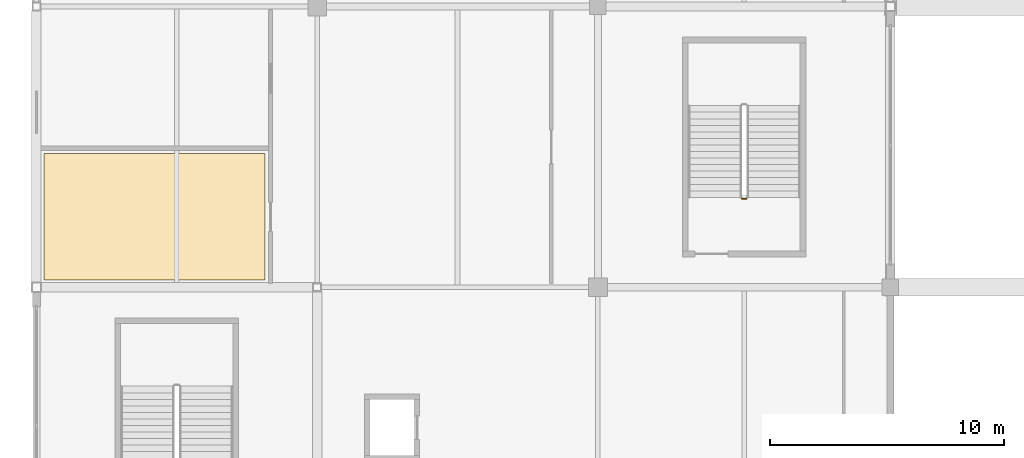
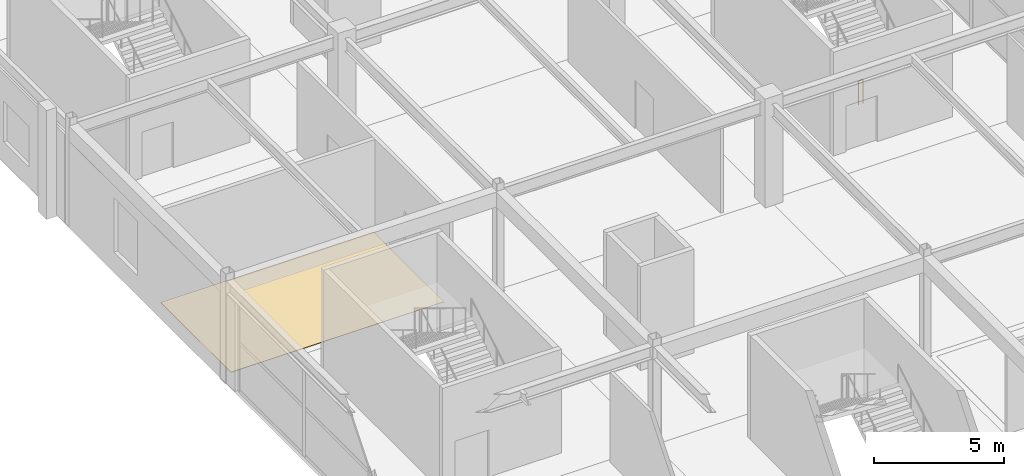
# One storey, part 107 of 128: 1 covering, 1 railing.
"""IFC4 building model written with IfcOpenShell, lengths in metres."""

from ifc_helpers import new_model, si_unit, direction, frame, origin, origin_2d, place, context, subcontext, project, spatial, polyline, circle, outline, extrude, material, layer, layer_set, type_object, element, save


model = new_model("IFC4")

# Units and contexts
model_context = context("Model", 3, precision=1e-05, world=origin(), true_north=direction((0.0, 1.0)))
body_context = subcontext(model_context, "Body", "Model", "MODEL_VIEW")
ifc_project = project(units=[si_unit("LENGTHUNIT", "METRE"), si_unit("AREAUNIT", "SQUARE_METRE"), si_unit("VOLUMEUNIT", "CUBIC_METRE"), si_unit("PLANEANGLEUNIT", "RADIAN"), si_unit("MASSUNIT", "GRAM", prefix="KILO")], contexts=[model_context])

# Site, building, storey
site_placement = place(None, origin())
site = spatial("IfcSite", under=ifc_project, at=site_placement, CompositionType="ELEMENT")
building_placement = place(site_placement, origin())
building = spatial("IfcBuilding", under=site, at=building_placement, Name="Kazenohara Klinker Stadium", CompositionType="ELEMENT")
storey_placement = place(building_placement, frame((0.0, 0.0, 15.300048828125)))
storey = spatial("IfcBuildingStorey", under=building, at=storey_placement, Name="L03", CompositionType="ELEMENT", Elevation=15.300048828125)

# Covering
ifc_material_1 = material(Name="Slip-resistant honed basalt terrazzo flooring", Category="masonry")
ifc_layer_1 = layer(ifc_material_1, 0.02001953125)
ifc_layer_set_1 = layer_set([ifc_layer_1], Name="Slip-resistant honed basalt terrazzo flooring")
covering_type = type_object("IfcCoveringType", Name="COV-FLR-01", PredefinedType="FLOORING", material=ifc_layer_set_1)
covering_placement = place(storey_placement, origin())
element("IfcCovering", 1, at=covering_placement, inside=storey, type_object=covering_type, Name="Interior floor finish FL01 Upper Concourse Supporter Dining Pavilion L03-0006A", PredefinedType="FLOORING", context=body_context, shape_type="SweptSolid", body=[
    extrude(outline(polyline([(0.330078125, 72.31005859375), (9.77001953125, 72.31005859375), (9.77001953125, 77.711669921875), (0.330078125, 77.711669921875), (0.330078125, 72.31005859375)])), origin(), (0.0, 0.0, 1.0), 0.02001953125),
])

# Railing
ifc_material_2 = material(Name="Painted steel stairwell guardrail", Category="steel")
ifc_layer_2 = layer(ifc_material_2, 0.06005859375)
ifc_layer_set_2 = layer_set([ifc_layer_2], Name="Painted steel stairwell guardrail")
railing_type = type_object("IfcRailingType", Name="RL-STG-1120", PredefinedType="GUARDRAIL", material=ifc_layer_set_2)
railing_placement = place(storey_placement, frame((30.35009765625, 75.7900390625, 0.0)))
element("IfcRailing", 2, at=railing_placement, inside=storey, type_object=railing_type, Name="L03 ST17 stair guard 4", PredefinedType="GUARDRAIL", context=body_context, shape_type="SweptSolid", body=[
    extrude(circle(Radius=0.02392578125, at=origin_2d()), frame((0.0, 0.0, 1.1259765625), z_axis=(-1.0, 0.0, 0.0), x_axis=(0.0, -1.0, 0.0)), (0.0, 0.0, 1.0), 0.2001953125),
    extrude(circle(Radius=0.02099609375, at=origin_2d()), origin(), (0.0, 0.0, 1.0), 1.101806640625),
    extrude(circle(Radius=0.02099609375, at=origin_2d()), frame((-0.2001953125, 0.0, 0.0)), (0.0, 0.0, 1.0), 1.101806640625),
])

save(model, "model.ifc")
